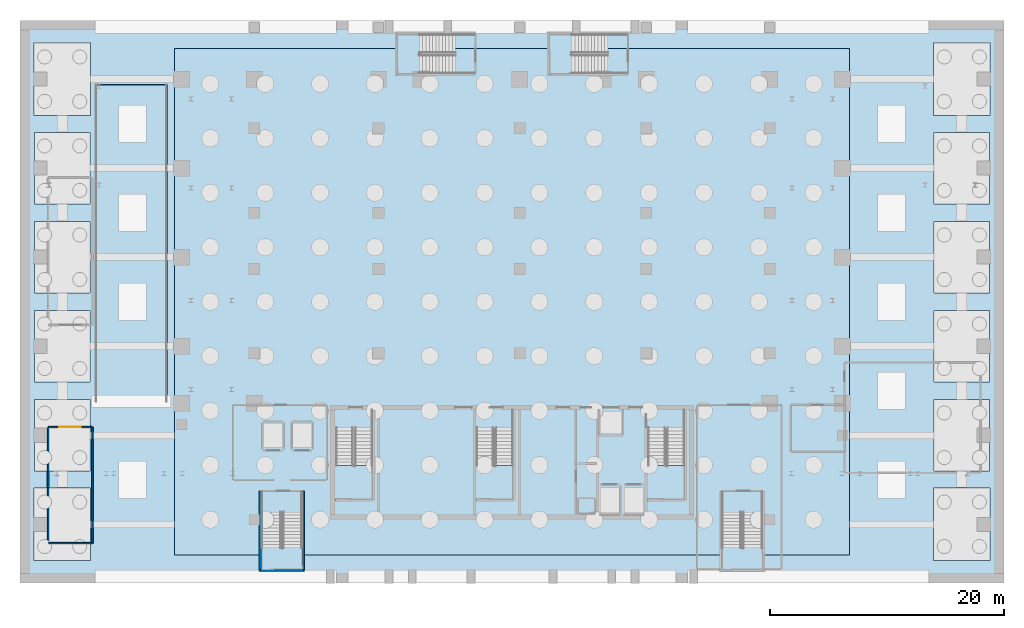
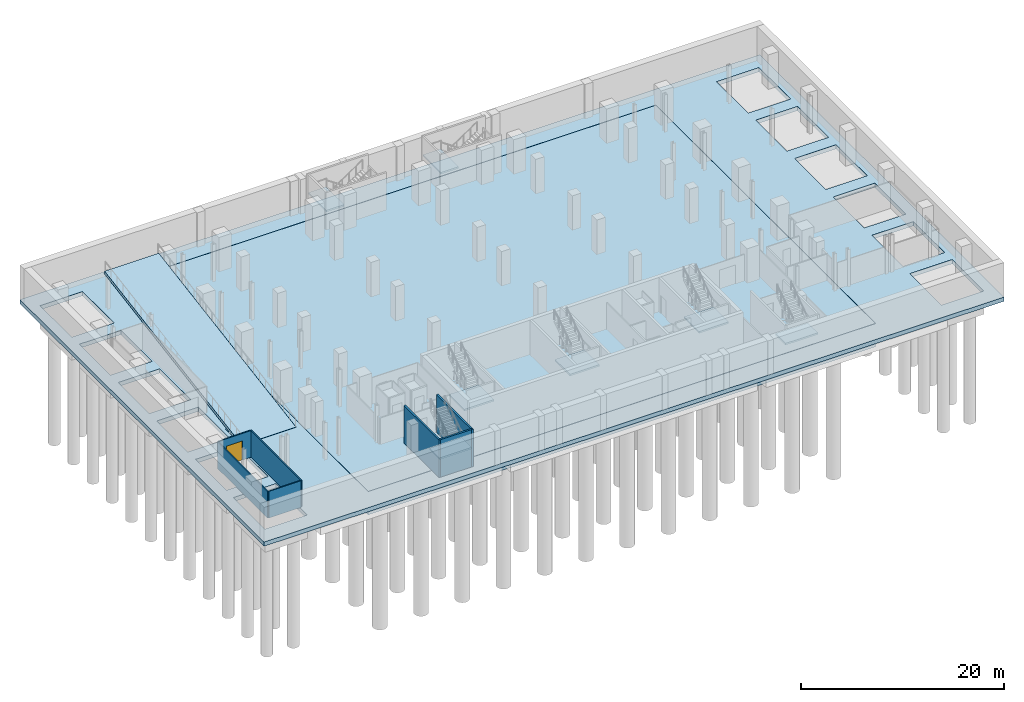
# One storey, part 7 of 18: 10 slabs, 7 walls, 1 door, 1 opening, 7 elements without a shape of their own.
"""IFC4 building model written with IfcOpenShell, lengths in metres."""

from ifc_helpers import new_model, si_unit, direction, frame, frame_2d, origin, place, context, subcontext, project, spatial, polyline, rectangle, outline, extrude, material, layer, layer_set, type_object, element, fill, aggregate, save


model = new_model("IFC4")

# Units and contexts
model_context = context("Model", 3, precision=1e-05, world=origin(), true_north=direction((0.0, 1.0)))
body_context = subcontext(model_context, "Body", "Model", "MODEL_VIEW")
ifc_project = project(units=[si_unit("LENGTHUNIT", "METRE"), si_unit("AREAUNIT", "SQUARE_METRE"), si_unit("VOLUMEUNIT", "CUBIC_METRE"), si_unit("PLANEANGLEUNIT", "RADIAN"), si_unit("MASSUNIT", "GRAM", prefix="KILO")], contexts=[model_context])

# Site, building, storey
site_placement = place(None, origin())
site = spatial("IfcSite", under=ifc_project, at=site_placement, CompositionType="ELEMENT")
building_placement = place(site_placement, origin())
building = spatial("IfcBuilding", under=site, at=building_placement, Name="Ndaravel Arena Tower", CompositionType="ELEMENT")
storey_placement = place(building_placement, frame((0.0, 0.0, -9.0)))
storey = spatial("IfcBuildingStorey", under=building, at=storey_placement, Name="B02", CompositionType="ELEMENT", Elevation=-9.0)

# Slabs
ifc_material_1 = material(Name="Concrete C40/50", Category="concrete")
ifc_layer_1 = layer(ifc_material_1, 0.5)
ifc_layer_set_1 = layer_set([ifc_layer_1], Name="Concrete C40/50")
slab_type_1 = type_object("IfcSlabType", Name="SLAB-BMAT-500", PredefinedType="BASESLAB", material=ifc_layer_set_1)
slab_1_placement = place(storey_placement, frame((0.0, 0.0, -0.5)))
element("IfcSlab", 1, at=slab_1_placement, inside=storey, type_object=slab_type_1, Name="B02 Perimeter Base Slab", PredefinedType="BASESLAB", context=body_context, shape_type="SweptSolid", body=[
    extrude(outline(polyline([(0.0, 0.0), (84.0, 0.0), (84.0, 48.0), (0.0, 48.0), (0.0, 0.0)]), holes=[polyline([(13.18994140625, 2.389892578125), (70.81005859375, 2.389892578125), (70.81005859375, 45.610107421875), (13.18994140625, 45.610107421875), (13.18994140625, 2.389892578125)]), polyline([(6.39990234375, 15.47998046875), (12.60009765625, 15.47998046875), (12.60009765625, 18.699951171875), (6.39990234375, 18.699951171875), (6.39990234375, 15.47998046875)]), polyline([(1.18994140625, 1.889892578125), (6.010009765625, 1.889892578125), (6.010009765625, 8.110107421875), (1.18994140625, 8.110107421875), (1.18994140625, 1.889892578125)]), polyline([(1.239990234375, 9.5400390625), (5.9599609375, 9.5400390625), (5.9599609375, 15.659912109375), (1.239990234375, 15.659912109375), (1.239990234375, 9.5400390625)]), polyline([(1.239990234375, 17.139892578125), (5.9599609375, 17.139892578125), (5.9599609375, 23.260009765625), (1.239990234375, 23.260009765625), (1.239990234375, 17.139892578125)]), polyline([(1.239990234375, 24.739990234375), (5.9599609375, 24.739990234375), (5.9599609375, 30.860107421875), (1.239990234375, 30.860107421875), (1.239990234375, 24.739990234375)]), polyline([(1.239990234375, 32.340087890625), (5.9599609375, 32.340087890625), (5.9599609375, 38.4599609375), (1.239990234375, 38.4599609375), (1.239990234375, 32.340087890625)]), polyline([(1.18994140625, 39.889892578125), (6.010009765625, 39.889892578125), (6.010009765625, 46.110107421875), (1.18994140625, 46.110107421875), (1.18994140625, 39.889892578125)]), polyline([(77.989990234375, 1.889892578125), (82.81005859375, 1.889892578125), (82.81005859375, 8.110107421875), (77.989990234375, 8.110107421875), (77.989990234375, 1.889892578125)]), polyline([(78.0400390625, 9.5400390625), (82.760009765625, 9.5400390625), (82.760009765625, 15.659912109375), (78.0400390625, 15.659912109375), (78.0400390625, 9.5400390625)]), polyline([(78.0400390625, 17.139892578125), (82.760009765625, 17.139892578125), (82.760009765625, 23.260009765625), (78.0400390625, 23.260009765625), (78.0400390625, 17.139892578125)]), polyline([(78.0400390625, 24.739990234375), (82.760009765625, 24.739990234375), (82.760009765625, 30.860107421875), (78.0400390625, 30.860107421875), (78.0400390625, 24.739990234375)]), polyline([(78.0400390625, 32.340087890625), (82.760009765625, 32.340087890625), (82.760009765625, 38.4599609375), (78.0400390625, 38.4599609375), (78.0400390625, 32.340087890625)]), polyline([(77.989990234375, 39.889892578125), (82.81005859375, 39.889892578125), (82.81005859375, 46.110107421875), (77.989990234375, 46.110107421875), (77.989990234375, 39.889892578125)])]), origin(), (0.0, 0.0, 1.0), 0.5),
])
ifc_material_2 = material(Name="Concrete C40/50", Category="concrete")
ifc_layer_2 = layer(ifc_material_2, 2.800048828125)
ifc_layer_set_2 = layer_set([ifc_layer_2], Name="Concrete C40/50")
slab_type_2 = type_object("IfcSlabType", Name="SLAB-RAFT-2800", PredefinedType="BASESLAB", material=ifc_layer_set_2)
slab_2_placement = place(storey_placement, frame((0.0, 0.0, -2.800048828125)))
element("IfcSlab", 2, at=slab_2_placement, inside=storey, type_object=slab_type_2, Name="Tower Piled Raft RF-01", PredefinedType="BASESLAB", context=body_context, shape_type="SweptSolid", body=[
    extrude(outline(polyline([(13.199951171875, 2.39990234375), (70.800048828125, 2.39990234375), (70.800048828125, 45.60009765625), (13.199951171875, 45.60009765625), (13.199951171875, 2.39990234375)])), origin(), (0.0, 0.0, 1.0), 2.800048828125),
])

# Stair, slab
ifc_material_3 = material(Name="Concrete C40/50", Category="concrete")
stair_type = type_object("IfcStairType", Name="STAIR-CORE-HT", PredefinedType="HALF_TURN_STAIR", material=ifc_material_3)
stair_1_placement = place(storey_placement, origin())
stair_1 = element("IfcStair", 3, at=stair_1_placement, inside=storey, type_object=stair_type, Name="B02 ST-1", PredefinedType="HALF_TURN_STAIR")
ifc_material_4 = material(Name="Concrete C40/50", Category="concrete")
ifc_layer_3 = layer(ifc_material_4, 0.199951171875)
ifc_layer_set_3 = layer_set([ifc_layer_3], Name="Concrete C40/50")
slab_type_3 = type_object("IfcSlabType", Name="SLAB-STAIR-LANDING", PredefinedType="LANDING", material=ifc_layer_set_3)
slab_3_placement = place(storey_placement, frame((0.0, 0.0, 2.050048828125)))
slab_3 = element("IfcSlab", 4, at=slab_3_placement, type_object=slab_type_3, Name="ST-1 landing 1", PredefinedType="LANDING", context=body_context, shape_type="SweptSolid", body=[
    extrude(outline(polyline([(26.81005859375, 10.0400390625), (26.81005859375, 7.070068359375), (30.169921875, 7.070068359375), (30.169921875, 10.0400390625), (26.81005859375, 10.0400390625)])), origin(), (0.0, 0.0, 1.0), 0.199951171875),
])
aggregate(stair_1, [slab_3])

stair_2_placement = place(storey_placement, origin())
stair_2 = element("IfcStair", 5, at=stair_2_placement, inside=storey, type_object=stair_type, Name="B02 ST-2", PredefinedType="HALF_TURN_STAIR")
slab_4_placement = place(storey_placement, frame((0.0, 0.0, 2.050048828125)))
slab_4 = element("IfcSlab", 6, at=slab_4_placement, type_object=slab_type_3, Name="ST-2 landing 1", PredefinedType="LANDING", context=body_context, shape_type="SweptSolid", body=[
    extrude(outline(polyline([(38.81005859375, 10.0400390625), (38.81005859375, 7.070068359375), (42.169921875, 7.070068359375), (42.169921875, 10.0400390625), (38.81005859375, 10.0400390625)])), origin(), (0.0, 0.0, 1.0), 0.199951171875),
])
aggregate(stair_2, [slab_4])

stair_3_placement = place(storey_placement, origin())
stair_3 = element("IfcStair", 7, at=stair_3_placement, inside=storey, type_object=stair_type, Name="B02 ST-3", PredefinedType="HALF_TURN_STAIR")
slab_5_placement = place(storey_placement, frame((0.0, 0.0, 2.050048828125)))
slab_5 = element("IfcSlab", 8, at=slab_5_placement, type_object=slab_type_3, Name="ST-3 landing 1", PredefinedType="LANDING", context=body_context, shape_type="SweptSolid", body=[
    extrude(outline(polyline([(53.4599609375, 10.0400390625), (53.4599609375, 7.070068359375), (56.820068359375, 7.070068359375), (56.820068359375, 10.0400390625), (53.4599609375, 10.0400390625)])), origin(), (0.0, 0.0, 1.0), 0.199951171875),
])
aggregate(stair_3, [slab_5])

stair_4_placement = place(storey_placement, origin())
stair_4 = element("IfcStair", 9, at=stair_4_placement, inside=storey, type_object=stair_type, Name="B02 ST-B1", PredefinedType="HALF_TURN_STAIR")
slab_6_placement = place(storey_placement, frame((0.0, 0.0, 2.050048828125)))
slab_6 = element("IfcSlab", 10, at=slab_6_placement, type_object=slab_type_3, Name="ST-B1 landing 1", PredefinedType="LANDING", context=body_context, shape_type="SweptSolid", body=[
    extrude(outline(polyline([(20.52001953125, 3.02490234375), (20.52001953125, 1.070068359375), (24.179931640625, 1.070068359375), (24.179931640625, 3.02490234375), (20.52001953125, 3.02490234375)])), origin(), (0.0, 0.0, 1.0), 0.199951171875),
])
aggregate(stair_4, [slab_6])

stair_5_placement = place(storey_placement, origin())
stair_5 = element("IfcStair", 11, at=stair_5_placement, inside=storey, type_object=stair_type, Name="B02 ST-B2", PredefinedType="HALF_TURN_STAIR")
slab_7_placement = place(storey_placement, frame((0.0, 0.0, 2.050048828125)))
slab_7 = element("IfcSlab", 12, at=slab_7_placement, type_object=slab_type_3, Name="ST-B2 landing 1", PredefinedType="LANDING", context=body_context, shape_type="SweptSolid", body=[
    extrude(outline(polyline([(59.820068359375, 3.02490234375), (59.820068359375, 1.070068359375), (63.47998046875, 1.070068359375), (63.47998046875, 3.02490234375), (59.820068359375, 3.02490234375)])), origin(), (0.0, 0.0, 1.0), 0.199951171875),
])
aggregate(stair_5, [slab_7])

stair_6_placement = place(storey_placement, origin())
stair_6 = element("IfcStair", 13, at=stair_6_placement, inside=storey, type_object=stair_type, Name="B02 ST-B3", PredefinedType="HALF_TURN_STAIR")
slab_8_placement = place(storey_placement, frame((0.0, 0.0, 2.050048828125)))
slab_8 = element("IfcSlab", 14, at=slab_8_placement, type_object=slab_type_3, Name="ST-B3 landing 1", PredefinedType="LANDING", context=body_context, shape_type="SweptSolid", body=[
    extrude(outline(polyline([(34.135009765625, 46.919921875), (32.1201171875, 46.919921875), (32.1201171875, 43.3798828125), (34.135009765625, 43.3798828125), (34.135009765625, 46.919921875)])), origin(), (0.0, 0.0, 1.0), 0.199951171875),
])
aggregate(stair_6, [slab_8])

stair_7_placement = place(storey_placement, origin())
stair_7 = element("IfcStair", 15, at=stair_7_placement, inside=storey, type_object=stair_type, Name="B02 ST-B4", PredefinedType="HALF_TURN_STAIR")
slab_9_placement = place(storey_placement, frame((0.0, 0.0, 2.050048828125)))
slab_9 = element("IfcSlab", 16, at=slab_9_placement, type_object=slab_type_3, Name="ST-B4 landing 1", PredefinedType="LANDING", context=body_context, shape_type="SweptSolid", body=[
    extrude(outline(polyline([(47.135009765625, 46.919921875), (45.1201171875, 46.919921875), (45.1201171875, 43.3798828125), (47.135009765625, 43.3798828125), (47.135009765625, 46.919921875)])), origin(), (0.0, 0.0, 1.0), 0.199951171875),
])
aggregate(stair_7, [slab_9])

# Slab
ifc_material_5 = material(Name="Concrete C40/50", Category="concrete")
ifc_layer_4 = layer(ifc_material_5, 0.35009765625)
ifc_layer_set_4 = layer_set([ifc_layer_4], Name="Concrete C40/50")
slab_type_4 = type_object("IfcSlabType", Name="SLAB-VRAMP-350", PredefinedType="FLOOR", material=ifc_layer_set_4)
slab_10_placement = place(storey_placement, frame((6.419921875, 15.5, 0.0), z_axis=(0.0, -0.164398987305, 0.986393923832), x_axis=(1.0, 0.0, 0.0)))
element("IfcSlab", 17, at=slab_10_placement, inside=storey, type_object=slab_type_4, Name="Car Park Vehicle Ramp Slab R1 Lower", PredefinedType="FLOOR", context=body_context, shape_type="SweptSolid", body=[
    extrude(outline(polyline([(0.0, 0.0), (6.16015625, 0.0), (6.16015625, 27.37243138634199), (0.0, 27.37243138634199), (0.0, 0.0)])), origin(), (0.0, 0.0, -1.0), 0.35009765625),
])

# Wall
ifc_material_6 = material(Name="Gypsum", Category="gypsum")
ifc_layer_5 = layer(ifc_material_6, 0.125)
ifc_layer_set_5 = layer_set([ifc_layer_5], Name="Gypsum")
wall_type_1 = type_object("IfcWallType", Name="WALL-PART-125", PredefinedType="PARTITIONING", material=ifc_layer_set_5)
wall_1_placement = place(storey_placement, frame((6.199951171875, 3.39990234375, 0.0), z_axis=(0.0, 0.0, 1.0), x_axis=(0.0, 1.0, 0.0)))
element("IfcWall", 18, at=wall_1_placement, inside=storey, type_object=wall_type_1, Name="B02 Interior Partition 001", PredefinedType="PARTITIONING", context=body_context, shape_type="SweptSolid", body=[
    extrude(rectangle(XDim=9.900146484375, YDim=0.125, at=frame_2d((4.9501953125, 0.0))), origin(), (0.0, 0.0, 1.0), 3.193359375),
])

# Wall, opening, door
wall_2_placement = place(storey_placement, frame((6.135009765625, 13.300048828125, 0.0), z_axis=(0.0, 0.0, 1.0), x_axis=(-1.0, 0.0, 0.0)))
wall_2 = element("IfcWall", 19, at=wall_2_placement, inside=storey, type_object=wall_type_1, Name="B02 Interior Partition 002", PredefinedType="PARTITIONING", context=body_context, shape_type="SweptSolid", body=[
    extrude(rectangle(XDim=3.735107421875, YDim=0.125, at=frame_2d((1.86767578125, 0.0))), origin(), (0.0, 0.0, 1.0), 3.193359375),
])
opening_placement = place(wall_2_placement, frame((0.967529296875, 0.0, 0.0)))
opening = element("IfcOpeningElement", 20, at=opening_placement, cuts=wall_2, Name="Opening PD-01", PredefinedType="OPENING", context=body_context, shape_type="SweptSolid", body=[
    extrude(rectangle(XDim=1.800048828125, YDim=2.300048828125, at=frame_2d((0.89990234375, 1.14990234375))), frame((0.0, 0.0625, 0.0), z_axis=(0.0, -1.0, 0.0), x_axis=(1.0, 0.0, 0.0)), (0.0, 0.0, 1.0), 0.125),
])
ifc_material_7 = material(Name="Steel S355", Category="steel")
door_type = type_object("IfcDoorType", Name="DT-09-PLANT-1800", OperationType="DOUBLE_DOOR_SINGLE_SWING", PredefinedType="DOOR", material=ifc_material_7)
door_placement = place(opening_placement, origin())
door = element("IfcDoor", 21, at=door_placement, inside=storey, type_object=door_type, Name="B02 Fire & Domestic Water Cistern Room Door", OperationType="SINGLE_SWING_RIGHT", OverallHeight=2.300048828125, OverallWidth=1.800048828125, PredefinedType="DOOR", context=body_context, shape_type="SweptSolid", body=[
    extrude(rectangle(XDim=1.800048828125, YDim=2.300048828125, at=frame_2d((0.89990234375, 1.14990234375))), frame((0.0, 0.02490234375, 0.0), z_axis=(0.0, -1.0, 0.0), x_axis=(1.0, 0.0, 0.0)), (0.0, 0.0, 1.0), 0.050048828125),
])
fill(opening, door)

# Walls
wall_3_placement = place(storey_placement, frame((2.39990234375, 13.235107421875, 0.0), z_axis=(0.0, 0.0, 1.0), x_axis=(0.0, -1.0, 0.0)))
element("IfcWall", 22, at=wall_3_placement, inside=storey, type_object=wall_type_1, Name="B02 Interior Partition 003", PredefinedType="PARTITIONING", context=body_context, shape_type="SweptSolid", body=[
    extrude(rectangle(XDim=9.835205078125, YDim=0.125, at=frame_2d((4.91748046875, 0.0))), origin(), (0.0, 0.0, 1.0), 3.193359375),
])
wall_4_placement = place(storey_placement, frame((2.465087890625, 3.39990234375, 0.0), z_axis=(0.0, 0.0, 1.0), x_axis=(1.0, 0.0, 0.0)))
element("IfcWall", 23, at=wall_4_placement, inside=storey, type_object=wall_type_1, Name="B02 Interior Partition 004", PredefinedType="PARTITIONING", context=body_context, shape_type="SweptSolid", body=[
    extrude(rectangle(XDim=3.669921875, YDim=0.125, at=frame_2d((1.8349609375, 0.0))), origin(), (0.0, 0.0, 1.0), 3.193359375),
])
ifc_material_8 = material(Name="Concrete C40/50", Category="concrete")
ifc_layer_6 = layer(ifc_material_8, 0.199951171875)
ifc_layer_set_6 = layer_set([ifc_layer_6], Name="Concrete C40/50")
wall_type_2 = type_object("IfcWallType", Name="WALL-SHAFT-200", PredefinedType="SOLIDWALL", material=ifc_layer_set_6)
for number, where, z_axis, x_axis, name in (
    (24, (20.5, 7.85009765625, 0.0), (0.0, 0.0, 1.0), (0.0, -1.0, 0.0), "B02 ST-B1 Shaft Wall Left"),
    (25, (24.199951171875, 7.85009765625, 0.0), (0.0, 0.0, 1.0), (0.0, -1.0, 0.0), "B02 ST-B1 Shaft Wall Right"),
):
    element("IfcWall", number, at=place(storey_placement, frame(where, z_axis=z_axis, x_axis=x_axis)), inside=storey, type_object=wall_type_2, Name=name, PredefinedType="SOLIDWALL", context=body_context, shape_type="SweptSolid", body=[
        extrude(rectangle(XDim=6.900146484375, YDim=0.199951171875, at=frame_2d((3.4501953125, 0.0))), origin(), (0.0, 0.0, 1.0), 4.5),
    ])
wall_5_placement = place(storey_placement, frame((20.510009765625, 1.050048828125, 0.0), z_axis=(0.0, 0.0, 1.0), x_axis=(1.0, 0.0, 0.0)))
element("IfcWall", 26, at=wall_5_placement, inside=storey, type_object=wall_type_2, Name="B02 ST-B1 Shaft Wall Far", PredefinedType="SOLIDWALL", context=body_context, shape_type="SweptSolid", body=[
    extrude(rectangle(XDim=3.679931640625, YDim=0.199951171875, at=frame_2d((1.83984375, 0.0))), origin(), (0.0, 0.0, 1.0), 4.5),
])

save(model, "model.ifc")
